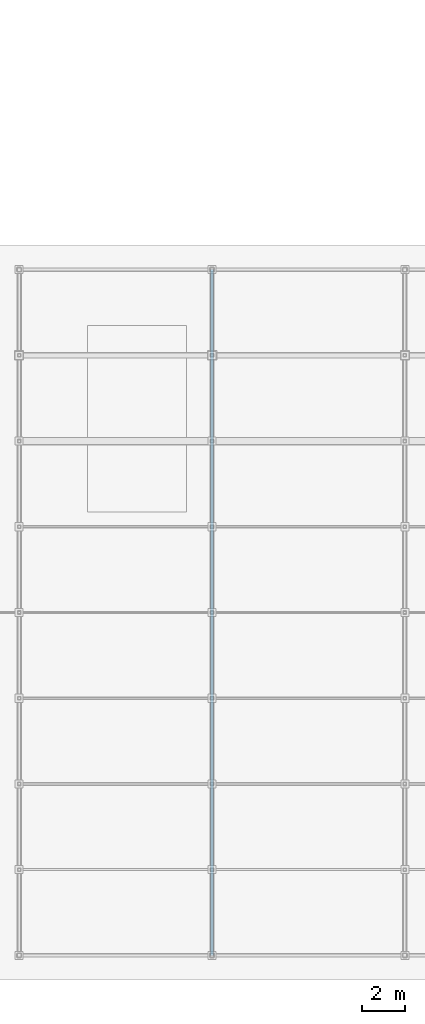
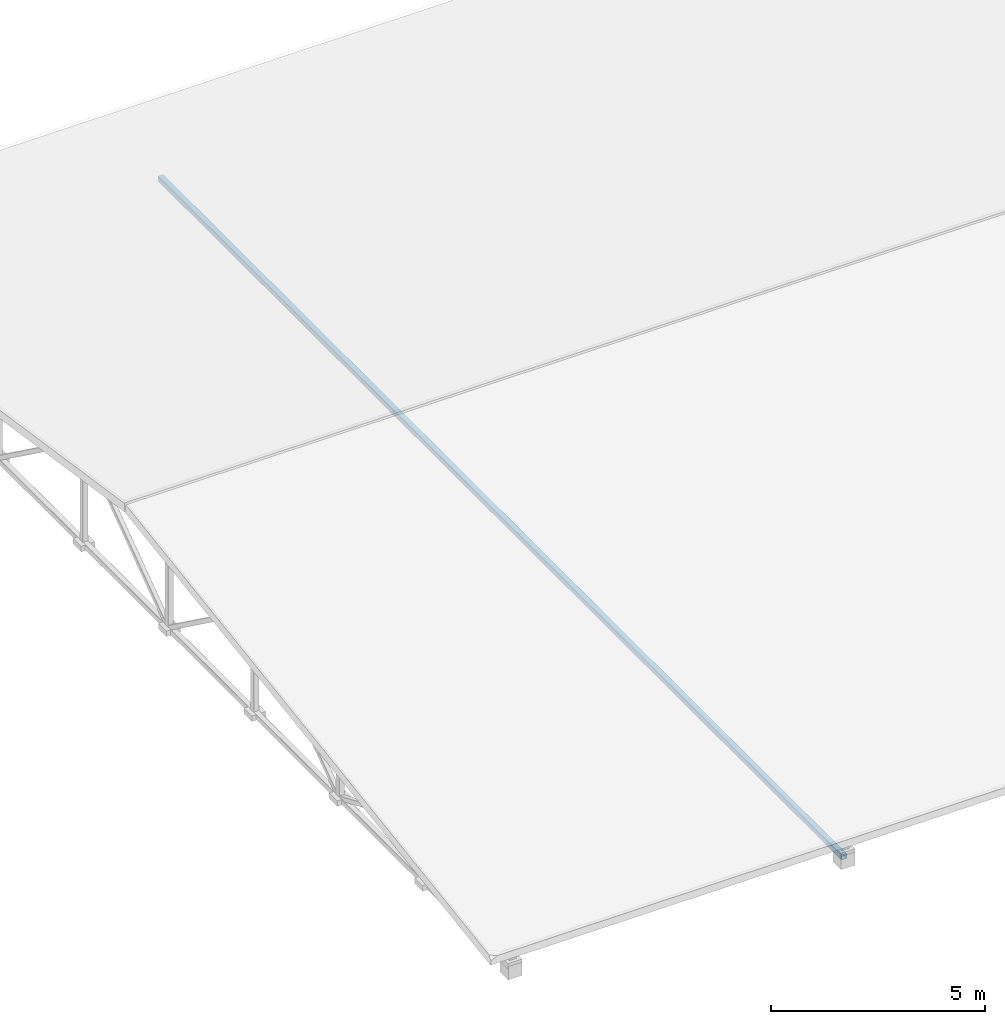
# One storey, part 12 of 118: 1 beam.
"""IFC4 building model written with IfcOpenShell, lengths in metres."""

from ifc_helpers import new_model, si_unit, direction, frame, origin, origin_2d, place, context, subcontext, project, spatial, hollow_rectangle, extrude, material, material_profile, profile_set, type_object, element, save


model = new_model("IFC4")

# Units and contexts
model_context = context("Model", 3, precision=1e-05, world=origin(), true_north=direction((0.0, 1.0)))
body_context = subcontext(model_context, "Body", "Model", "MODEL_VIEW")
ifc_project = project(units=[si_unit("LENGTHUNIT", "METRE"), si_unit("AREAUNIT", "SQUARE_METRE"), si_unit("VOLUMEUNIT", "CUBIC_METRE"), si_unit("PLANEANGLEUNIT", "RADIAN"), si_unit("MASSUNIT", "GRAM", prefix="KILO"), si_unit("THERMODYNAMICTEMPERATUREUNIT", "KELVIN"), si_unit("POWERUNIT", "WATT")], contexts=[model_context])

# Site, building, storey
site_placement = place(None, origin())
site = spatial("IfcSite", under=ifc_project, at=site_placement, CompositionType="ELEMENT")
building_placement = place(site_placement, origin())
building = spatial("IfcBuilding", under=site, at=building_placement, Name="Zelmaris Science Centre", CompositionType="ELEMENT")
storey_placement = place(building_placement, frame((0.0, 0.0, 15.60009765625)))
storey = spatial("IfcBuildingStorey", under=building, at=storey_placement, Name="L03", CompositionType="ELEMENT", Elevation=15.60009765625)

# Beam
ifc_material = material(Name="Steel ASTM A500 Grade C", Category="steel")
ifc_material_profile = material_profile(ifc_material, hollow_rectangle(XDim=0.15234375, YDim=0.15234375, WallThickness=0.0087890625, InnerFilletRadius=0.0087890625, OuterFilletRadius=0.017822265625, at=origin_2d()), Name="HSS152X152X10")
ifc_profile_set = profile_set([ifc_material_profile], Name="Steel ASTM A500 Grade C")
beam_type = type_object("IfcBeamType", Name="Beam G-21 HSS152X152X10", PredefinedType="BEAM", material=ifc_profile_set)
beam_placement = place(storey_placement, frame((18.0, 8.0, -0.1044921875), z_axis=(0.0, 1.0, 0.0), x_axis=(-1.0, 0.0, 0.0)))
element("IfcBeam", 1, at=beam_placement, inside=storey, type_object=beam_type, Name="RF-V3 Roof truss 2 bottom chord", PredefinedType="BEAM", context=body_context, shape_type="SweptSolid", body=[
    extrude(hollow_rectangle(XDim=0.15234375, YDim=0.15234375, WallThickness=0.0087890625, InnerFilletRadius=0.0087890625, OuterFilletRadius=0.017822265625, at=origin_2d()), origin(), (0.0, 0.0, 1.0), 32.0),
])

save(model, "model.ifc")
